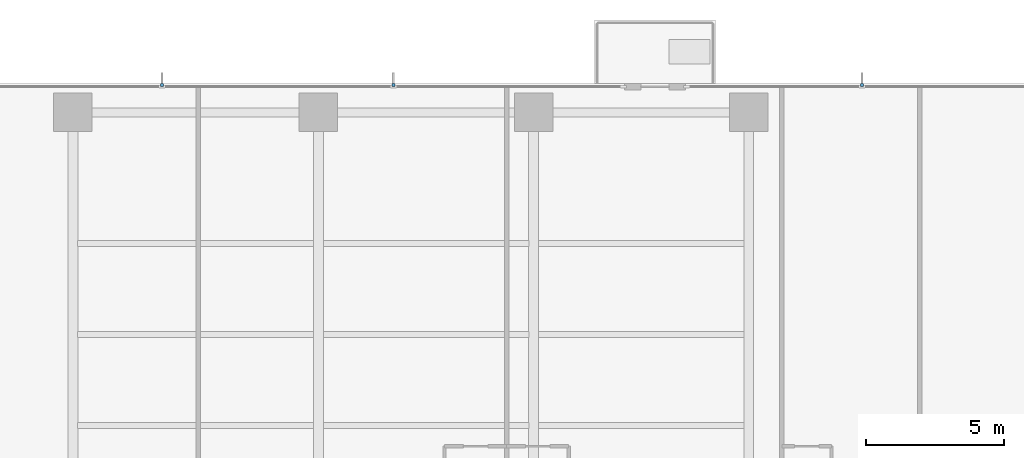
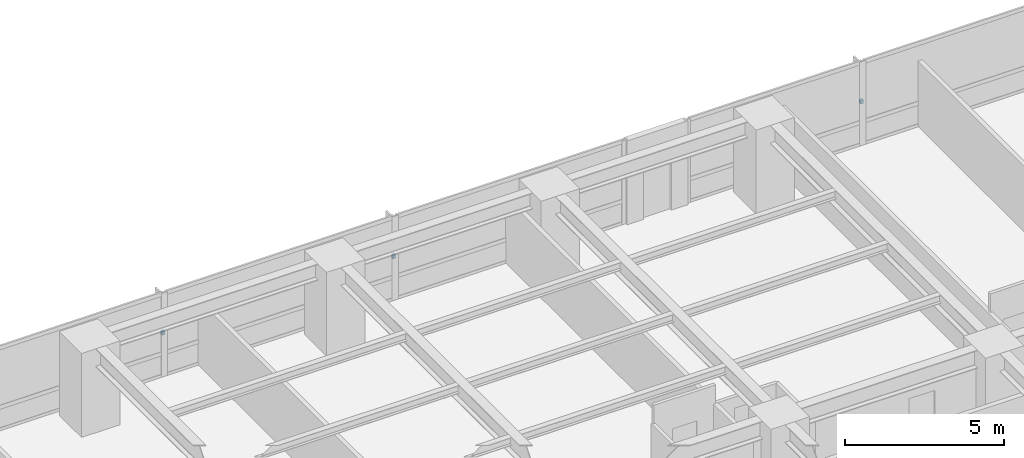
# One storey, part 14 of 16: 3 discrete accessories.
"""IFC4 building model written with IfcOpenShell, lengths in metres."""

from ifc_helpers import new_model, si_unit, direction, frame, origin, place, context, subcontext, project, spatial, polyline, outline, extrude, material, type_object, element, save


model = new_model("IFC4")

# Units and contexts
model_context = context("Model", 3, precision=1e-05, world=origin(), true_north=direction((0.0, 1.0)))
body_context = subcontext(model_context, "Body", "Model", "MODEL_VIEW")
ifc_project = project(units=[si_unit("LENGTHUNIT", "METRE"), si_unit("AREAUNIT", "SQUARE_METRE"), si_unit("VOLUMEUNIT", "CUBIC_METRE"), si_unit("PLANEANGLEUNIT", "RADIAN"), si_unit("MASSUNIT", "GRAM", prefix="KILO")], contexts=[model_context])

# Site, building, storey
site_placement = place(None, origin())
site = spatial("IfcSite", under=ifc_project, at=site_placement, CompositionType="ELEMENT")
building_placement = place(site_placement, origin())
building = spatial("IfcBuilding", under=site, at=building_placement, Name="Qalmaran Belvedere Hotel", CompositionType="ELEMENT")
storey_placement = place(building_placement, frame((0.0, 0.0, 50.89990234375)))
storey = spatial("IfcBuildingStorey", under=building, at=storey_placement, Name="L12", CompositionType="ELEMENT", Elevation=50.89990234375)

# Discrete accessories
ifc_material = material(Name="Stainless Steel 1.4401", Category="steel")
discrete_accessory_type = type_object("IfcDiscreteAccessoryType", Name="BRK-FIN-SS316", PredefinedType="BRACKET", material=ifc_material)
discrete_accessory_1_placement = place(storey_placement, frame((0.0, 0.0, 1.56005859375)))
element("IfcDiscreteAccessory", 1, at=discrete_accessory_1_placement, inside=storey, type_object=discrete_accessory_type, Name="L12 Fin Bracket 1", PredefinedType="BRACKET", context=body_context, shape_type="SweptSolid", body=[
    extrude(outline(polyline([(31.9716796875, 48.39501953125), (31.9716796875, 48.492431640625), (31.86181640625, 48.492431640625), (31.86181640625, 48.39501953125), (31.9716796875, 48.39501953125)])), origin(), (0.0, 0.0, 1.0), 0.14013671875),
])
discrete_accessory_2_placement = place(storey_placement, frame((0.0, 0.0, 1.56005859375)))
element("IfcDiscreteAccessory", 2, at=discrete_accessory_2_placement, inside=storey, type_object=discrete_accessory_type, Name="L12 Fin Bracket 2", PredefinedType="BRACKET", context=body_context, shape_type="SweptSolid", body=[
    extrude(outline(polyline([(23.58837890625, 48.39501953125), (23.58837890625, 48.492431640625), (23.478271484375, 48.492431640625), (23.478271484375, 48.39501953125), (23.58837890625, 48.39501953125)])), origin(), (0.0, 0.0, 1.0), 0.14013671875),
])
discrete_accessory_3_placement = place(storey_placement, frame((0.0, 0.0, 1.56005859375)))
element("IfcDiscreteAccessory", 3, at=discrete_accessory_3_placement, inside=storey, type_object=discrete_accessory_type, Name="L12 Fin Bracket 1", PredefinedType="BRACKET", context=body_context, shape_type="SweptSolid", body=[
    extrude(outline(polyline([(48.955078125, 48.39501953125), (48.955078125, 48.492431640625), (48.844970703125, 48.492431640625), (48.844970703125, 48.39501953125), (48.955078125, 48.39501953125)])), origin(), (0.0, 0.0, 1.0), 0.14013671875),
])

save(model, "model.ifc")
